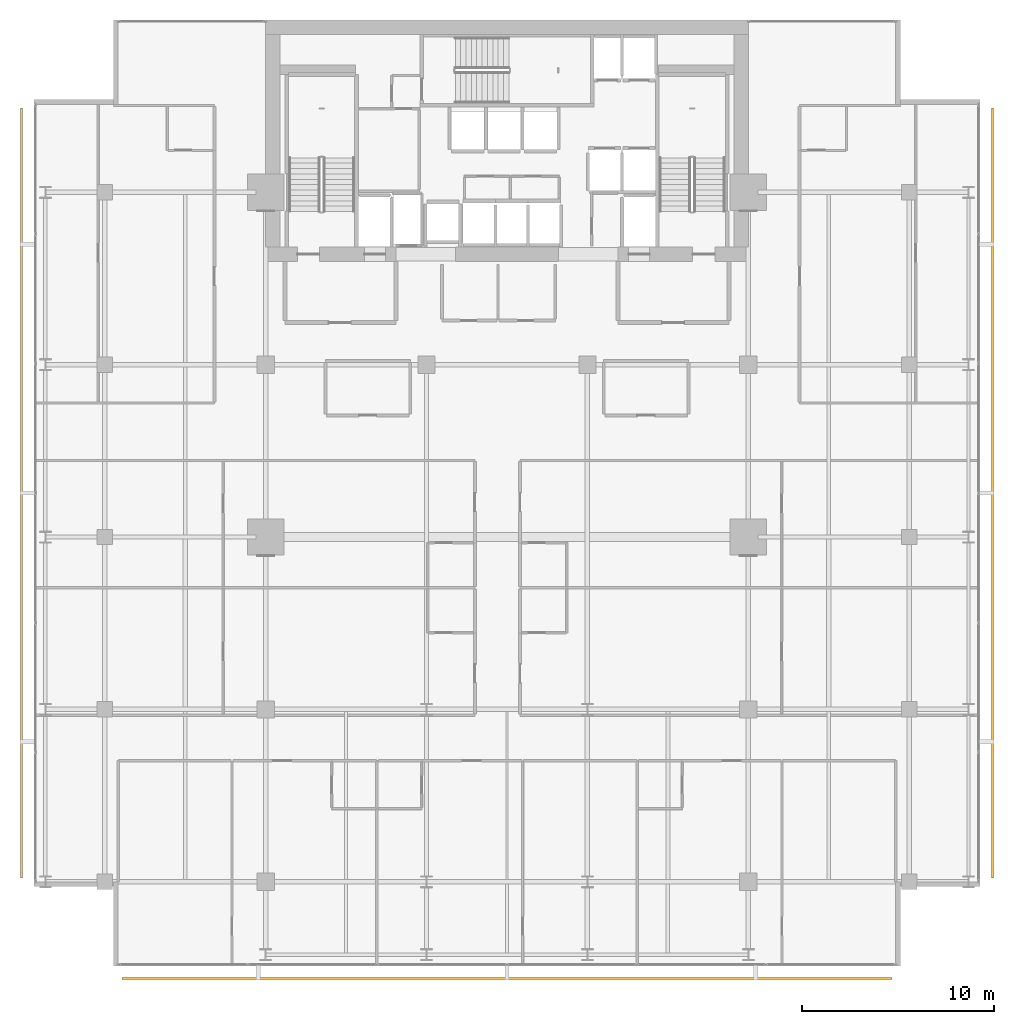
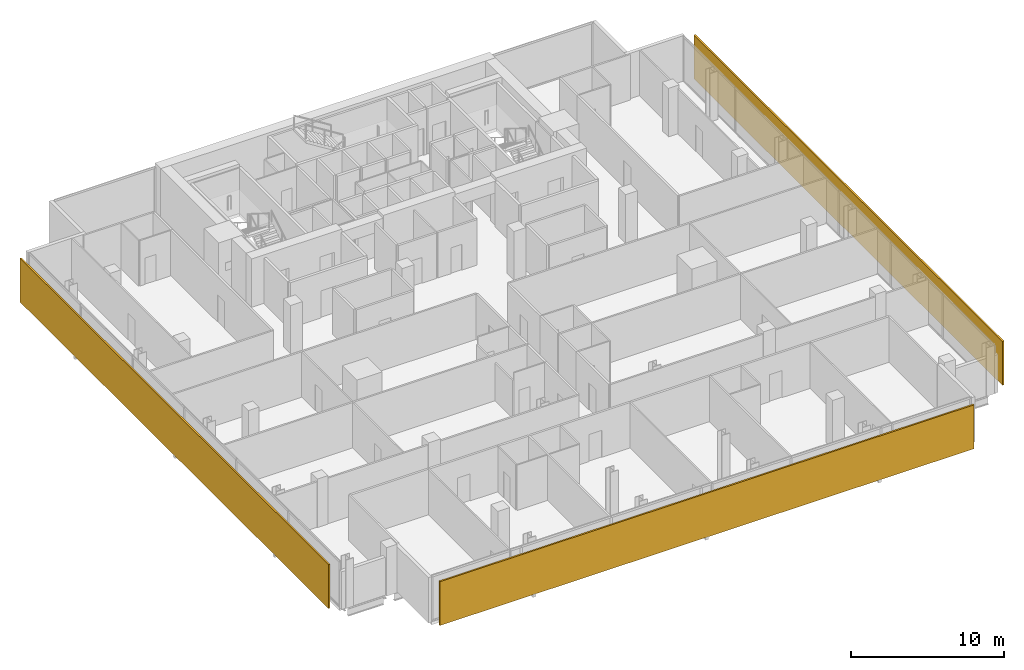
# One storey, part 32 of 33: 3 shading devices.
"""IFC4 building model written with IfcOpenShell, lengths in metres."""

from ifc_helpers import new_model, si_unit, direction, frame, origin, origin_2d, place, context, subcontext, project, spatial, rectangle, extrude, material, layer, layer_set, type_object, element, save


model = new_model("IFC4")

# Units and contexts
model_context = context("Model", 3, precision=1e-05, world=origin(), true_north=direction((0.0, 1.0)))
body_context = subcontext(model_context, "Body", "Model", "MODEL_VIEW")
ifc_project = project(units=[si_unit("LENGTHUNIT", "METRE"), si_unit("AREAUNIT", "SQUARE_METRE"), si_unit("VOLUMEUNIT", "CUBIC_METRE"), si_unit("PLANEANGLEUNIT", "RADIAN"), si_unit("MASSUNIT", "GRAM", prefix="KILO")], contexts=[model_context])

# Site, building, storey
site_placement = place(None, origin())
site = spatial("IfcSite", under=ifc_project, at=site_placement, CompositionType="ELEMENT")
building_placement = place(site_placement, origin())
building = spatial("IfcBuilding", under=site, at=building_placement, Name="Maruvema Waterfront Hotel and Observation Tower", CompositionType="ELEMENT")
storey_placement = place(building_placement, frame((0.0, 0.0, 169.75)))
storey = spatial("IfcBuildingStorey", under=building, at=storey_placement, Name="L41", CompositionType="ELEMENT", Elevation=169.75)

# Shading devices
ifc_material = material(Name="Honed travertine stone and anodised architectural bronze", Category="masonry")
ifc_layer = layer(ifc_material, 0.1201171875, Name="Ventilated Outer Skin Cobogo Stone-and-Bronze Screen 120 mm")
ifc_layer_set = layer_set([ifc_layer], Name="Honed travertine stone and anodised architectural bronze")
shading_device_type = type_object("IfcShadingDeviceType", Name="Ventilated Outer Skin Cobogo Stone-and-Bronze Screen 120 mm", PredefinedType="USERDEFINED", material=ifc_layer_set)
for number, where, z_axis, x_axis, name in (
    (1, (37.800048828125, 3.949951171875, 0.06005859375), (0.0, 0.0, 1.0), (1.0, 0.0, 0.0), "L41 Ventilated Double-Skin Outer Cobogo Screen OS-L41-S"),
    (2, (63.14990234375, 29.300048828125, 0.06005859375), (0.0, 0.0, 1.0), (0.0, 1.0, 0.0), "L41 Ventilated Double-Skin Outer Cobogo Screen OS-L41-E"),
    (3, (12.449951171875, 29.300048828125, 0.06005859375), (0.0, 0.0, 1.0), (0.0, -1.0, 0.0), "L41 Ventilated Double-Skin Outer Cobogo Screen OS-L41-W"),
):
    element("IfcShadingDevice", number, at=place(storey_placement, frame(where, z_axis=z_axis, x_axis=x_axis)), inside=storey, type_object=shading_device_type, Name=name, ObjectType="OUTER SKIN SCREEN", PredefinedType="USERDEFINED", context=body_context, shape_type="SweptSolid", body=[
        extrude(rectangle(XDim=40.199951171875, YDim=0.1201171875, at=origin_2d()), origin(), (0.0, 0.0, 1.0), 3.489990234375),
    ])

save(model, "model.ifc")
